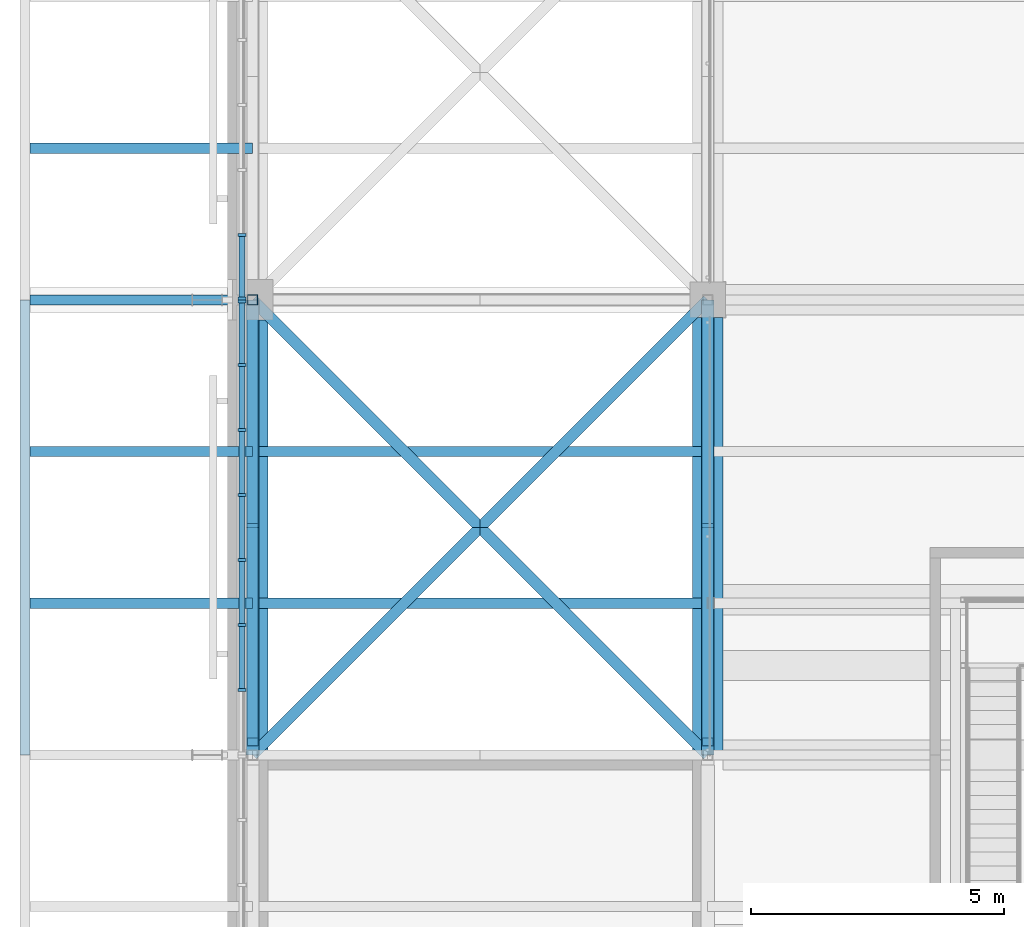
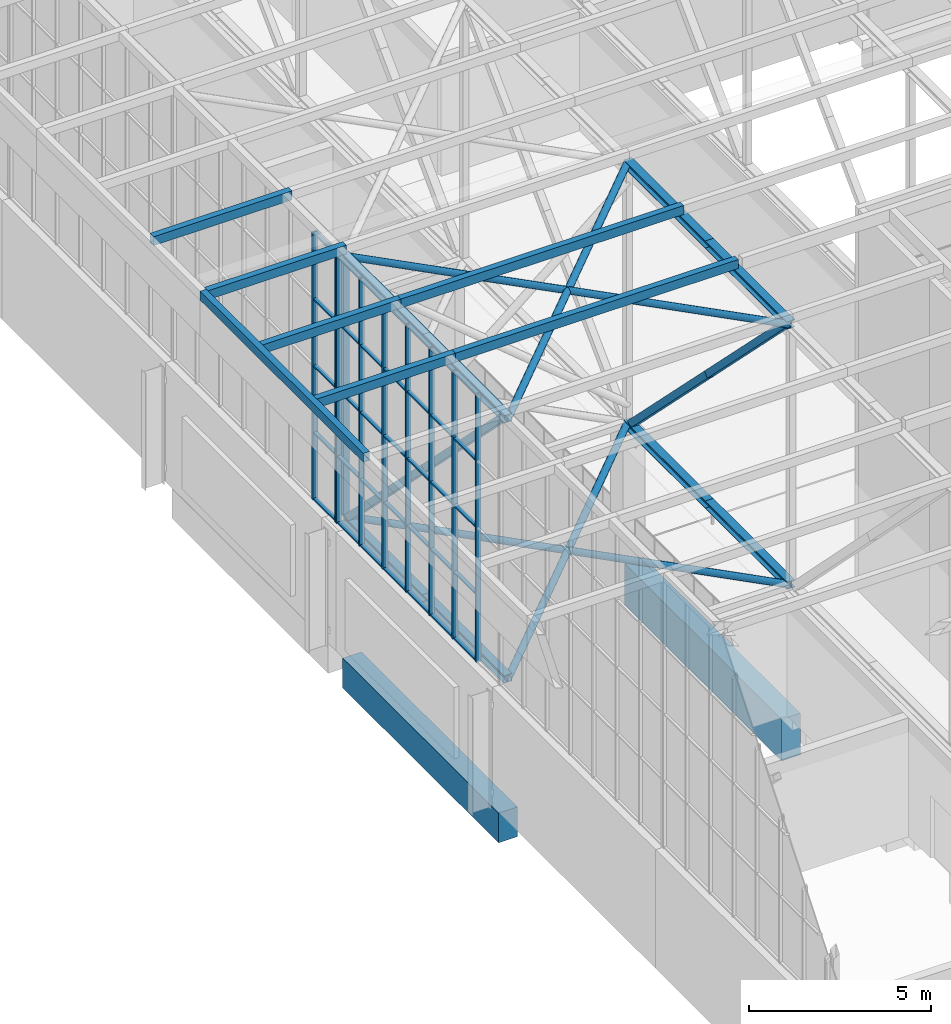
# One storey, part 50 of 646: 73 members, 2 beams, 2 elements without a shape of their own.
"""IFC4 building model written with IfcOpenShell, lengths in metres."""

from ifc_helpers import new_model, si_unit, direction, frame, origin, origin_2d, place, context, subcontext, project, spatial, rectangle, hollow_rectangle, hollow_circle, i_section, extrude, material, material_profile, profile_set, type_object, element, aggregate, save


model = new_model("IFC4")

# Units and contexts
model_context = context("Model", 3, precision=1e-05, world=origin(), true_north=direction((0.0, 1.0)))
body_context = subcontext(model_context, "Body", "Model", "MODEL_VIEW")
ifc_project = project(units=[si_unit("LENGTHUNIT", "METRE"), si_unit("AREAUNIT", "SQUARE_METRE"), si_unit("VOLUMEUNIT", "CUBIC_METRE"), si_unit("PLANEANGLEUNIT", "RADIAN"), si_unit("MASSUNIT", "GRAM", prefix="KILO")], contexts=[model_context])

# Site, building, storey
site_placement = place(None, origin())
site = spatial("IfcSite", under=ifc_project, at=site_placement, CompositionType="ELEMENT")
building_placement = place(site_placement, origin())
building = spatial("IfcBuilding", under=site, at=building_placement, Name="Silverbay Arena", CompositionType="ELEMENT")
storey_placement = place(building_placement, frame((0.0, 0.0, 33.5)))
storey = spatial("IfcBuildingStorey", under=building, at=storey_placement, Name="L05", CompositionType="ELEMENT", Elevation=33.5)

# Curtain wall, members
ifc_material_1 = material(Name="Aluminium framed glazing", Category="aluminium")
curtain_wall_type = type_object("IfcCurtainWallType", Name="Curtain wall clerestory 9000 x 9000", PredefinedType="NOTDEFINED", material=ifc_material_1)
curtain_wall_1_placement = place(storey_placement, origin())
curtain_wall_1 = element("IfcCurtainWall", 1, at=curtain_wall_1_placement, inside=storey, type_object=curtain_wall_type, Name="ROOF GABLE CLERESTORY CURTAIN WALL west bay 08", PredefinedType="NOTDEFINED")
ifc_material_2 = material(Name="Aluminium", Category="aluminium")
ifc_material_profile_1 = material_profile(ifc_material_2, rectangle(XDim=0.159912109375, YDim=0.06005859375, at=origin_2d()), Name="Mullion 60 x 160")
ifc_profile_set_1 = profile_set([ifc_material_profile_1], Name="Aluminium")
member_type_1 = type_object("IfcMemberType", Name="Mullion 60 x 160", PredefinedType="MULLION", material=ifc_profile_set_1)
member_1_placement = place(storey_placement, frame((53.7900390625, 73.28564453125, 4.0), z_axis=(0.0, 0.0, 1.0), x_axis=(-1.0, 0.0, 0.0)))
member_1 = element("IfcMember", 2, at=member_1_placement, type_object=member_type_1, Name="CW60 mullion 2", PredefinedType="MULLION", context=body_context, shape_type="SweptSolid", body=[
    extrude(rectangle(XDim=0.159912109375, YDim=0.06005859375, at=origin_2d()), origin(), (0.0, 0.0, 1.0), 9.0),
])
member_2_placement = place(storey_placement, frame((53.7900390625, 74.571533203125, 4.0), z_axis=(0.0, 0.0, 1.0), x_axis=(-1.0, 0.0, 0.0)))
member_2 = element("IfcMember", 3, at=member_2_placement, type_object=member_type_1, Name="CW60 mullion 3", PredefinedType="MULLION", context=body_context, shape_type="SweptSolid", body=[
    extrude(rectangle(XDim=0.159912109375, YDim=0.06005859375, at=origin_2d()), origin(), (0.0, 0.0, 1.0), 9.0),
])
member_3_placement = place(storey_placement, frame((53.7900390625, 75.857177734375, 4.0), z_axis=(0.0, 0.0, 1.0), x_axis=(-1.0, 0.0, 0.0)))
member_3 = element("IfcMember", 4, at=member_3_placement, type_object=member_type_1, Name="CW60 mullion 4", PredefinedType="MULLION", context=body_context, shape_type="SweptSolid", body=[
    extrude(rectangle(XDim=0.159912109375, YDim=0.06005859375, at=origin_2d()), origin(), (0.0, 0.0, 1.0), 9.0),
])
member_4_placement = place(storey_placement, frame((53.7900390625, 77.142822265625, 4.0), z_axis=(0.0, 0.0, 1.0), x_axis=(-1.0, 0.0, 0.0)))
member_4 = element("IfcMember", 5, at=member_4_placement, type_object=member_type_1, Name="CW60 mullion 5", PredefinedType="MULLION", context=body_context, shape_type="SweptSolid", body=[
    extrude(rectangle(XDim=0.159912109375, YDim=0.06005859375, at=origin_2d()), origin(), (0.0, 0.0, 1.0), 9.0),
])
member_5_placement = place(storey_placement, frame((53.7900390625, 78.428466796875, 4.0), z_axis=(0.0, 0.0, 1.0), x_axis=(-1.0, 0.0, 0.0)))
member_5 = element("IfcMember", 6, at=member_5_placement, type_object=member_type_1, Name="CW60 mullion 6", PredefinedType="MULLION", context=body_context, shape_type="SweptSolid", body=[
    extrude(rectangle(XDim=0.159912109375, YDim=0.06005859375, at=origin_2d()), origin(), (0.0, 0.0, 1.0), 9.0),
])
member_6_placement = place(storey_placement, frame((53.7900390625, 79.71435546875, 4.0), z_axis=(0.0, 0.0, 1.0), x_axis=(-1.0, 0.0, 0.0)))
member_6 = element("IfcMember", 7, at=member_6_placement, type_object=member_type_1, Name="CW60 mullion 7", PredefinedType="MULLION", context=body_context, shape_type="SweptSolid", body=[
    extrude(rectangle(XDim=0.159912109375, YDim=0.06005859375, at=origin_2d()), origin(), (0.0, 0.0, 1.0), 9.0),
])
member_7_placement = place(storey_placement, frame((53.7900390625, 80.969970703125, 4.0), z_axis=(0.0, 0.0, 1.0), x_axis=(-1.0, 0.0, 0.0)))
member_7 = element("IfcMember", 8, at=member_7_placement, type_object=member_type_1, Name="CW60 mullion 8", PredefinedType="MULLION", context=body_context, shape_type="SweptSolid", body=[
    extrude(rectangle(XDim=0.159912109375, YDim=0.06005859375, at=origin_2d()), origin(), (0.0, 0.0, 1.0), 9.0),
])

curtain_wall_2_placement = place(storey_placement, origin())
curtain_wall_2 = element("IfcCurtainWall", 9, at=curtain_wall_2_placement, inside=storey, type_object=curtain_wall_type, Name="ROOF GABLE CLERESTORY CURTAIN WALL west bay 09", PredefinedType="NOTDEFINED")
member_8_placement = place(storey_placement, frame((53.7900390625, 81.030029296875, 4.0), z_axis=(0.0, 0.0, 1.0), x_axis=(-1.0, 0.0, 0.0)))
member_8 = element("IfcMember", 10, at=member_8_placement, type_object=member_type_1, Name="CW60 mullion 1", PredefinedType="MULLION", context=body_context, shape_type="SweptSolid", body=[
    extrude(rectangle(XDim=0.159912109375, YDim=0.06005859375, at=origin_2d()), origin(), (0.0, 0.0, 1.0), 9.0),
])
member_9_placement = place(storey_placement, frame((53.7900390625, 82.28564453125, 4.0), z_axis=(0.0, 0.0, 1.0), x_axis=(-1.0, 0.0, 0.0)))
member_9 = element("IfcMember", 11, at=member_9_placement, type_object=member_type_1, Name="CW60 mullion 2", PredefinedType="MULLION", context=body_context, shape_type="SweptSolid", body=[
    extrude(rectangle(XDim=0.159912109375, YDim=0.06005859375, at=origin_2d()), origin(), (0.0, 0.0, 1.0), 9.0),
])

# Members
ifc_material_3 = material(Name="Steel S355", Category="steel")
ifc_material_profile_2 = material_profile(ifc_material_3, hollow_circle(Radius=0.109619140625, WallThickness=0.00634765625, at=origin_2d()), Name="CHS 219.1x6.3")
ifc_profile_set_2 = profile_set([ifc_material_profile_2], Name="Steel S355")
member_type_2 = type_object("IfcMemberType", Name="Plan bracing CHS 219.1x6.3", PredefinedType="BRACE", material=ifc_profile_set_2)
for number, where, z_axis, x_axis, name in (
    (12, (54.0, 72.0, 12.873046875), (0.707106781187, 0.707106781187, 0.0), (-0.707106781187, 0.707106781187, 0.0), "ROOF BRACING top 7-8 panel 08 Aa"),
    (13, (58.5, 76.5, 12.873046875), (0.707106781187, 0.707106781187, 0.0), (-0.707106781187, 0.707106781187, 0.0), "ROOF BRACING top 7-8 panel 08 Ab"),
    (14, (54.0, 81.0, 12.873046875), (0.707106781187, -0.707106781187, 0.0), (0.707106781187, 0.707106781187, 0.0), "ROOF BRACING top 7-8 panel 08 Ba"),
    (15, (58.5, 76.5, 12.873046875), (0.707106781187, -0.707106781187, 0.0), (0.707106781187, 0.707106781187, 0.0), "ROOF BRACING top 7-8 panel 08 Bb"),
    (16, (54.0, 72.0, 4.126953125), (0.707106781187, 0.707106781187, 0.0), (-0.707106781187, 0.707106781187, 0.0), "ROOF BRACING bottom 7-8 panel 08 Aa"),
    (17, (58.5, 76.5, 4.126953125), (0.707106781187, 0.707106781187, 0.0), (-0.707106781187, 0.707106781187, 0.0), "ROOF BRACING bottom 7-8 panel 08 Ab"),
    (18, (54.0, 81.0, 4.126953125), (0.707106781187, -0.707106781187, 0.0), (0.707106781187, 0.707106781187, 0.0), "ROOF BRACING bottom 7-8 panel 08 Ba"),
    (19, (58.5, 76.5, 4.126953125), (0.707106781187, -0.707106781187, 0.0), (0.707106781187, 0.707106781187, 0.0), "ROOF BRACING bottom 7-8 panel 08 Bb"),
):
    element("IfcMember", number, at=place(storey_placement, frame(where, z_axis=z_axis, x_axis=x_axis)), inside=storey, type_object=member_type_2, Name=name, PredefinedType="BRACE", context=body_context, shape_type="SweptSolid", body=[
        extrude(hollow_circle(Radius=0.109619140625, WallThickness=0.00634765625, at=origin_2d()), origin(), (0.0, 0.0, 1.0), 6.364013671875),
    ])
ifc_material_4 = material(Name="Steel S355", Category="steel")
ifc_material_profile_3 = material_profile(ifc_material_4, hollow_rectangle(XDim=0.199951171875, YDim=0.300048828125, WallThickness=0.008056640625, at=origin_2d()), Name="RHS 300x200x8")
ifc_profile_set_3 = profile_set([ifc_material_profile_3], Name="Steel S355")
member_type_3 = type_object("IfcMemberType", Name="Purlin RHS 300x200x8", PredefinedType="PURLIN", material=ifc_profile_set_3)
for number, where, z_axis, x_axis, name in (
    (20, (54.0, 75.0, 13.14990234375), (1.0, 0.0, 0.0), (0.0, 1.0, 0.0), "ROOF PURLIN 7-8 line 23"),
    (21, (54.0, 78.0, 13.14990234375), (1.0, 0.0, 0.0), (0.0, 1.0, 0.0), "ROOF PURLIN 7-8 line 24"),
):
    element("IfcMember", number, at=place(storey_placement, frame(where, z_axis=z_axis, x_axis=x_axis)), inside=storey, type_object=member_type_3, Name=name, PredefinedType="PURLIN", context=body_context, shape_type="SweptSolid", body=[
        extrude(hollow_rectangle(XDim=0.199951171875, YDim=0.300048828125, WallThickness=0.008056640625, at=origin_2d()), origin(), (0.0, 0.0, 1.0), 9.0),
    ])
for number, where, z_axis, x_axis, name in (
    (22, (49.60009765625, 75.0, 13.14990234375), (1.0, 0.0, 0.0), (0.0, 1.0, 0.0), "ROOF PURLIN west eave line 23"),
    (23, (49.60009765625, 78.0, 13.14990234375), (1.0, 0.0, 0.0), (0.0, 1.0, 0.0), "ROOF PURLIN west eave line 24"),
    (24, (49.60009765625, 81.0, 13.14990234375), (1.0, 0.0, 0.0), (0.0, 1.0, 0.0), "ROOF PURLIN west eave line 25"),
    (25, (49.60009765625, 84.0, 13.14990234375), (1.0, 0.0, 0.0), (0.0, 1.0, 0.0), "ROOF PURLIN west eave line 26"),
):
    element("IfcMember", number, at=place(storey_placement, frame(where, z_axis=z_axis, x_axis=x_axis)), inside=storey, type_object=member_type_3, Name=name, PredefinedType="PURLIN", context=body_context, shape_type="SweptSolid", body=[
        extrude(hollow_rectangle(XDim=0.199951171875, YDim=0.300048828125, WallThickness=0.008056640625, at=origin_2d()), origin(), (0.0, 0.0, 1.0), 4.39990234375),
    ])
member_10_placement = place(storey_placement, frame((49.5, 72.0, 13.14990234375), z_axis=(0.0, 1.0, 0.0), x_axis=(-1.0, 0.0, 0.0)))
element("IfcMember", 26, at=member_10_placement, inside=storey, type_object=member_type_3, Name="ROOF PURLIN west eave edge 08", PredefinedType="PURLIN", context=body_context, shape_type="SweptSolid", body=[
    extrude(hollow_rectangle(XDim=0.199951171875, YDim=0.300048828125, WallThickness=0.008056640625, at=origin_2d()), origin(), (0.0, 0.0, 1.0), 9.0),
])

# Beams
ifc_material_5 = material(Name="Concrete Grade C45", Category="concrete")
ifc_material_profile_4 = material_profile(ifc_material_5, rectangle(XDim=0.60009765625, YDim=1.0, at=origin_2d()), Name="RC 600x1000")
ifc_profile_set_4 = profile_set([ifc_material_profile_4], Name="Concrete Grade C45")
beam_type_1 = type_object("IfcBeamType", Name="RC beam 600x1000", PredefinedType="BEAM", material=ifc_profile_set_4)
beam_1_placement = place(storey_placement, frame((54.0, 72.0, -0.800048828125), z_axis=(0.0, 1.0, 0.0), x_axis=(-1.0, 0.0, 0.0)))
element("IfcBeam", 27, at=beam_1_placement, inside=storey, type_object=beam_type_1, Name="Floor beam L05 074", PredefinedType="BEAM", context=body_context, shape_type="SweptSolid", body=[
    extrude(rectangle(XDim=0.60009765625, YDim=1.0, at=origin_2d()), origin(), (0.0, 0.0, 1.0), 8.60009765625),
])
ifc_material_6 = material(Name="Concrete Grade C45", Category="concrete")
ifc_material_profile_5 = material_profile(ifc_material_6, rectangle(XDim=0.60009765625, YDim=1.39990234375, at=origin_2d()), Name="RC 600x1400")
ifc_profile_set_5 = profile_set([ifc_material_profile_5], Name="Concrete Grade C45")
beam_type_2 = type_object("IfcBeamType", Name="RC beam 600x1400", PredefinedType="BEAM", material=ifc_profile_set_5)
beam_2_placement = place(storey_placement, frame((63.0, 72.0, -1.0), z_axis=(0.0, 1.0, 0.0), x_axis=(-1.0, 0.0, 0.0)))
element("IfcBeam", 28, at=beam_2_placement, inside=storey, type_object=beam_type_2, Name="Floor beam L05 082", PredefinedType="BEAM", context=body_context, shape_type="SweptSolid", body=[
    extrude(rectangle(XDim=0.60009765625, YDim=1.39990234375, at=origin_2d()), origin(), (0.0, 0.0, 1.0), 8.64990234375),
])

# Members
ifc_material_7 = material(Name="Steel S355", Category="steel")
ifc_material_profile_6 = material_profile(ifc_material_7, i_section(OverallWidth=0.254638671875, OverallDepth=0.254150390625, WebThickness=0.008544921875, FlangeThickness=0.01416015625, at=origin_2d()), Name="UC 254x254x73")
ifc_profile_set_6 = profile_set([ifc_material_profile_6], Name="Steel S355")
member_type_4 = type_object("IfcMemberType", Name="Short-span bottom chord UC 254x254x73", PredefinedType="CHORD", material=ifc_profile_set_6)
for number, where, z_axis, x_axis, name in (
    (29, (54.0, 72.0, 4.126953125), (0.0, 1.0, 0.0), (-1.0, 0.0, 0.0), "ROOF TRUSS 7 bottom chord 08a"),
    (30, (54.0, 76.5, 4.126953125), (0.0, 1.0, 0.0), (-1.0, 0.0, 0.0), "ROOF TRUSS 7 bottom chord 08b"),
    (31, (63.0, 72.0, 4.126953125), (0.0, 1.0, 0.0), (-1.0, 0.0, 0.0), "ROOF TRUSS 8 bottom chord 08a"),
    (32, (63.0, 76.5, 4.126953125), (0.0, 1.0, 0.0), (-1.0, 0.0, 0.0), "ROOF TRUSS 8 bottom chord 08b"),
):
    element("IfcMember", number, at=place(storey_placement, frame(where, z_axis=z_axis, x_axis=x_axis)), inside=storey, type_object=member_type_4, Name=name, PredefinedType="CHORD", context=body_context, shape_type="SweptSolid", body=[
        extrude(i_section(OverallWidth=0.254638671875, OverallDepth=0.254150390625, WebThickness=0.008544921875, FlangeThickness=0.01416015625, at=origin_2d()), origin(), (0.0, 0.0, 1.0), 4.5),
    ])
ifc_material_8 = material(Name="Steel S355", Category="steel")
ifc_material_profile_7 = material_profile(ifc_material_8, i_section(OverallWidth=0.254638671875, OverallDepth=0.254150390625, WebThickness=0.008544921875, FlangeThickness=0.01416015625, at=origin_2d()), Name="UC 254x254x73")
ifc_profile_set_7 = profile_set([ifc_material_profile_7], Name="Steel S355")
member_type_5 = type_object("IfcMemberType", Name="Short-span top chord UC 254x254x73", PredefinedType="CHORD", material=ifc_profile_set_7)
for number, where, z_axis, x_axis, name in (
    (33, (54.0, 72.0, 12.873046875), (0.0, 1.0, 0.0), (-1.0, 0.0, 0.0), "ROOF TRUSS 7 top chord 08a"),
    (34, (54.0, 76.5, 12.873046875), (0.0, 1.0, 0.0), (-1.0, 0.0, 0.0), "ROOF TRUSS 7 top chord 08b"),
    (35, (63.0, 72.0, 12.873046875), (0.0, 1.0, 0.0), (-1.0, 0.0, 0.0), "ROOF TRUSS 8 top chord 08a"),
    (36, (63.0, 76.5, 12.873046875), (0.0, 1.0, 0.0), (-1.0, 0.0, 0.0), "ROOF TRUSS 8 top chord 08b"),
):
    element("IfcMember", number, at=place(storey_placement, frame(where, z_axis=z_axis, x_axis=x_axis)), inside=storey, type_object=member_type_5, Name=name, PredefinedType="CHORD", context=body_context, shape_type="SweptSolid", body=[
        extrude(i_section(OverallWidth=0.254638671875, OverallDepth=0.254150390625, WebThickness=0.008544921875, FlangeThickness=0.01416015625, at=origin_2d()), origin(), (0.0, 0.0, 1.0), 4.5),
    ])
ifc_material_9 = material(Name="Steel S355", Category="steel")
ifc_material_profile_8 = material_profile(ifc_material_9, hollow_rectangle(XDim=0.219970703125, YDim=0.219970703125, WallThickness=0.008056640625, at=origin_2d()), Name="SHS 220x220x8")
ifc_profile_set_8 = profile_set([ifc_material_profile_8], Name="Steel S355")
member_type_6 = type_object("IfcMemberType", Name="Short-span truss diagonal SHS 220x220x8", PredefinedType="BRACE", material=ifc_profile_set_8)
for number, where, z_axis, x_axis, name in (
    (37, (54.0, 72.26025390625, 12.745849609375), (0.0, 0.706597990941, -0.707615205601), (-1.0, 0.0, 0.0), "ROOF TRUSS 7 diagonal 08a"),
    (38, (54.0, 76.5, 8.5), (0.0, 0.706597990941, -0.707615205601), (-1.0, 0.0, 0.0), "ROOF TRUSS 7 diagonal 08b"),
    (39, (63.0, 72.26025390625, 12.745849609375), (0.0, 0.706597990941, -0.707615205601), (-1.0, 0.0, 0.0), "ROOF TRUSS 8 diagonal 08a"),
    (40, (63.0, 76.5, 8.5), (0.0, 0.706597990941, -0.707615205601), (-1.0, 0.0, 0.0), "ROOF TRUSS 8 diagonal 08b"),
):
    element("IfcMember", number, at=place(storey_placement, frame(where, z_axis=z_axis, x_axis=x_axis)), inside=storey, type_object=member_type_6, Name=name, PredefinedType="BRACE", context=body_context, shape_type="SweptSolid", body=[
        extrude(hollow_rectangle(XDim=0.219970703125, YDim=0.219970703125, WallThickness=0.008056640625, at=origin_2d()), origin(), (0.0, 0.0, 1.0), 6.000244140625),
    ])
ifc_material_10 = material(Name="Steel S355", Category="steel")
ifc_material_profile_9 = material_profile(ifc_material_10, hollow_rectangle(XDim=0.199951171875, YDim=0.199951171875, WallThickness=0.008056640625, at=origin_2d()), Name="SHS 200x200x8")
ifc_profile_set_9 = profile_set([ifc_material_profile_9], Name="Steel S355")
member_type_7 = type_object("IfcMemberType", Name="Short-span truss vertical SHS 200x200x8", PredefinedType="STRUT", material=ifc_profile_set_9)
for number, where, z_axis, x_axis, name in (
    (41, (54.0, 81.0, 4.254150390625), (0.0, 0.0, 1.0), (1.0, 0.0, 0.0), "ROOF TRUSS 7 vertical 09a"),
    (42, (54.0, 81.0, 8.5), (0.0, 0.0, 1.0), (1.0, 0.0, 0.0), "ROOF TRUSS 7 vertical 09b"),
):
    element("IfcMember", number, at=place(storey_placement, frame(where, z_axis=z_axis, x_axis=x_axis)), inside=storey, type_object=member_type_7, Name=name, PredefinedType="STRUT", context=body_context, shape_type="SweptSolid", body=[
        extrude(hollow_rectangle(XDim=0.199951171875, YDim=0.199951171875, WallThickness=0.008056640625, at=origin_2d()), origin(), (0.0, 0.0, 1.0), 4.245849609375),
    ])

# Member
ifc_material_11 = material(Name="Aluminium", Category="aluminium")
ifc_material_profile_10 = material_profile(ifc_material_11, rectangle(XDim=0.1201171875, YDim=0.050048828125, at=origin_2d()), Name="Transom 50 x 120")
ifc_profile_set_10 = profile_set([ifc_material_profile_10], Name="Aluminium")
member_type_8 = type_object("IfcMemberType", Name="Transom 50 x 120", PredefinedType="USERDEFINED", material=ifc_profile_set_10)
member_11_placement = place(storey_placement, frame((53.7900390625, 73.315673828125, 4.02490234375), z_axis=(0.0, 1.0, 0.0), x_axis=(-1.0, 0.0, 0.0)))
member_11 = element("IfcMember", 43, at=member_11_placement, type_object=member_type_8, Name="CW60 transom 2.1", ObjectType="TRANSOM", PredefinedType="USERDEFINED", context=body_context, shape_type="SweptSolid", body=[
    extrude(rectangle(XDim=0.1201171875, YDim=0.050048828125, at=origin_2d()), origin(), (0.0, 0.0, 1.0), 1.225830078125),
])

member_12_placement = place(storey_placement, frame((53.7900390625, 73.315673828125, 6.25), z_axis=(0.0, 1.0, 0.0), x_axis=(-1.0, 0.0, 0.0)))
member_12 = element("IfcMember", 44, at=member_12_placement, type_object=member_type_8, Name="CW60 transom 2.2", ObjectType="TRANSOM", PredefinedType="USERDEFINED", context=body_context, shape_type="SweptSolid", body=[
    extrude(rectangle(XDim=0.1201171875, YDim=0.050048828125, at=origin_2d()), origin(), (0.0, 0.0, 1.0), 1.225830078125),
])

member_13_placement = place(storey_placement, frame((53.7900390625, 73.315673828125, 8.5), z_axis=(0.0, 1.0, 0.0), x_axis=(-1.0, 0.0, 0.0)))
member_13 = element("IfcMember", 45, at=member_13_placement, type_object=member_type_8, Name="CW60 transom 2.3", ObjectType="TRANSOM", PredefinedType="USERDEFINED", context=body_context, shape_type="SweptSolid", body=[
    extrude(rectangle(XDim=0.1201171875, YDim=0.050048828125, at=origin_2d()), origin(), (0.0, 0.0, 1.0), 1.225830078125),
])

member_14_placement = place(storey_placement, frame((53.7900390625, 73.315673828125, 10.75), z_axis=(0.0, 1.0, 0.0), x_axis=(-1.0, 0.0, 0.0)))
member_14 = element("IfcMember", 46, at=member_14_placement, type_object=member_type_8, Name="CW60 transom 2.4", ObjectType="TRANSOM", PredefinedType="USERDEFINED", context=body_context, shape_type="SweptSolid", body=[
    extrude(rectangle(XDim=0.1201171875, YDim=0.050048828125, at=origin_2d()), origin(), (0.0, 0.0, 1.0), 1.225830078125),
])

member_15_placement = place(storey_placement, frame((53.7900390625, 73.315673828125, 12.97509765625), z_axis=(0.0, 1.0, 0.0), x_axis=(-1.0, 0.0, 0.0)))
member_15 = element("IfcMember", 47, at=member_15_placement, type_object=member_type_8, Name="CW60 transom 2.5", ObjectType="TRANSOM", PredefinedType="USERDEFINED", context=body_context, shape_type="SweptSolid", body=[
    extrude(rectangle(XDim=0.1201171875, YDim=0.050048828125, at=origin_2d()), origin(), (0.0, 0.0, 1.0), 1.225830078125),
])

member_16_placement = place(storey_placement, frame((53.7900390625, 74.601318359375, 4.02490234375), z_axis=(0.0, 1.0, 0.0), x_axis=(-1.0, 0.0, 0.0)))
member_16 = element("IfcMember", 48, at=member_16_placement, type_object=member_type_8, Name="CW60 transom 3.1", ObjectType="TRANSOM", PredefinedType="USERDEFINED", context=body_context, shape_type="SweptSolid", body=[
    extrude(rectangle(XDim=0.1201171875, YDim=0.050048828125, at=origin_2d()), origin(), (0.0, 0.0, 1.0), 1.225830078125),
])

member_17_placement = place(storey_placement, frame((53.7900390625, 74.601318359375, 6.25), z_axis=(0.0, 1.0, 0.0), x_axis=(-1.0, 0.0, 0.0)))
member_17 = element("IfcMember", 49, at=member_17_placement, type_object=member_type_8, Name="CW60 transom 3.2", ObjectType="TRANSOM", PredefinedType="USERDEFINED", context=body_context, shape_type="SweptSolid", body=[
    extrude(rectangle(XDim=0.1201171875, YDim=0.050048828125, at=origin_2d()), origin(), (0.0, 0.0, 1.0), 1.225830078125),
])

member_18_placement = place(storey_placement, frame((53.7900390625, 74.601318359375, 8.5), z_axis=(0.0, 1.0, 0.0), x_axis=(-1.0, 0.0, 0.0)))
member_18 = element("IfcMember", 50, at=member_18_placement, type_object=member_type_8, Name="CW60 transom 3.3", ObjectType="TRANSOM", PredefinedType="USERDEFINED", context=body_context, shape_type="SweptSolid", body=[
    extrude(rectangle(XDim=0.1201171875, YDim=0.050048828125, at=origin_2d()), origin(), (0.0, 0.0, 1.0), 1.225830078125),
])

member_19_placement = place(storey_placement, frame((53.7900390625, 74.601318359375, 10.75), z_axis=(0.0, 1.0, 0.0), x_axis=(-1.0, 0.0, 0.0)))
member_19 = element("IfcMember", 51, at=member_19_placement, type_object=member_type_8, Name="CW60 transom 3.4", ObjectType="TRANSOM", PredefinedType="USERDEFINED", context=body_context, shape_type="SweptSolid", body=[
    extrude(rectangle(XDim=0.1201171875, YDim=0.050048828125, at=origin_2d()), origin(), (0.0, 0.0, 1.0), 1.225830078125),
])

member_20_placement = place(storey_placement, frame((53.7900390625, 74.601318359375, 12.97509765625), z_axis=(0.0, 1.0, 0.0), x_axis=(-1.0, 0.0, 0.0)))
member_20 = element("IfcMember", 52, at=member_20_placement, type_object=member_type_8, Name="CW60 transom 3.5", ObjectType="TRANSOM", PredefinedType="USERDEFINED", context=body_context, shape_type="SweptSolid", body=[
    extrude(rectangle(XDim=0.1201171875, YDim=0.050048828125, at=origin_2d()), origin(), (0.0, 0.0, 1.0), 1.225830078125),
])

member_21_placement = place(storey_placement, frame((53.7900390625, 75.88720703125, 4.02490234375), z_axis=(0.0, 1.0, 0.0), x_axis=(-1.0, 0.0, 0.0)))
member_21 = element("IfcMember", 53, at=member_21_placement, type_object=member_type_8, Name="CW60 transom 4.1", ObjectType="TRANSOM", PredefinedType="USERDEFINED", context=body_context, shape_type="SweptSolid", body=[
    extrude(rectangle(XDim=0.1201171875, YDim=0.050048828125, at=origin_2d()), origin(), (0.0, 0.0, 1.0), 1.2255859375),
])

member_22_placement = place(storey_placement, frame((53.7900390625, 75.88720703125, 6.25), z_axis=(0.0, 1.0, 0.0), x_axis=(-1.0, 0.0, 0.0)))
member_22 = element("IfcMember", 54, at=member_22_placement, type_object=member_type_8, Name="CW60 transom 4.2", ObjectType="TRANSOM", PredefinedType="USERDEFINED", context=body_context, shape_type="SweptSolid", body=[
    extrude(rectangle(XDim=0.1201171875, YDim=0.050048828125, at=origin_2d()), origin(), (0.0, 0.0, 1.0), 1.2255859375),
])

member_23_placement = place(storey_placement, frame((53.7900390625, 75.88720703125, 8.5), z_axis=(0.0, 1.0, 0.0), x_axis=(-1.0, 0.0, 0.0)))
member_23 = element("IfcMember", 55, at=member_23_placement, type_object=member_type_8, Name="CW60 transom 4.3", ObjectType="TRANSOM", PredefinedType="USERDEFINED", context=body_context, shape_type="SweptSolid", body=[
    extrude(rectangle(XDim=0.1201171875, YDim=0.050048828125, at=origin_2d()), origin(), (0.0, 0.0, 1.0), 1.2255859375),
])

member_24_placement = place(storey_placement, frame((53.7900390625, 75.88720703125, 10.75), z_axis=(0.0, 1.0, 0.0), x_axis=(-1.0, 0.0, 0.0)))
member_24 = element("IfcMember", 56, at=member_24_placement, type_object=member_type_8, Name="CW60 transom 4.4", ObjectType="TRANSOM", PredefinedType="USERDEFINED", context=body_context, shape_type="SweptSolid", body=[
    extrude(rectangle(XDim=0.1201171875, YDim=0.050048828125, at=origin_2d()), origin(), (0.0, 0.0, 1.0), 1.2255859375),
])

member_25_placement = place(storey_placement, frame((53.7900390625, 75.88720703125, 12.97509765625), z_axis=(0.0, 1.0, 0.0), x_axis=(-1.0, 0.0, 0.0)))
member_25 = element("IfcMember", 57, at=member_25_placement, type_object=member_type_8, Name="CW60 transom 4.5", ObjectType="TRANSOM", PredefinedType="USERDEFINED", context=body_context, shape_type="SweptSolid", body=[
    extrude(rectangle(XDim=0.1201171875, YDim=0.050048828125, at=origin_2d()), origin(), (0.0, 0.0, 1.0), 1.2255859375),
])

member_26_placement = place(storey_placement, frame((53.7900390625, 77.1728515625, 4.02490234375), z_axis=(0.0, 1.0, 0.0), x_axis=(-1.0, 0.0, 0.0)))
member_26 = element("IfcMember", 58, at=member_26_placement, type_object=member_type_8, Name="CW60 transom 5.1", ObjectType="TRANSOM", PredefinedType="USERDEFINED", context=body_context, shape_type="SweptSolid", body=[
    extrude(rectangle(XDim=0.1201171875, YDim=0.050048828125, at=origin_2d()), origin(), (0.0, 0.0, 1.0), 1.225830078125),
])

member_27_placement = place(storey_placement, frame((53.7900390625, 77.1728515625, 6.25), z_axis=(0.0, 1.0, 0.0), x_axis=(-1.0, 0.0, 0.0)))
member_27 = element("IfcMember", 59, at=member_27_placement, type_object=member_type_8, Name="CW60 transom 5.2", ObjectType="TRANSOM", PredefinedType="USERDEFINED", context=body_context, shape_type="SweptSolid", body=[
    extrude(rectangle(XDim=0.1201171875, YDim=0.050048828125, at=origin_2d()), origin(), (0.0, 0.0, 1.0), 1.225830078125),
])

member_28_placement = place(storey_placement, frame((53.7900390625, 77.1728515625, 8.5), z_axis=(0.0, 1.0, 0.0), x_axis=(-1.0, 0.0, 0.0)))
member_28 = element("IfcMember", 60, at=member_28_placement, type_object=member_type_8, Name="CW60 transom 5.3", ObjectType="TRANSOM", PredefinedType="USERDEFINED", context=body_context, shape_type="SweptSolid", body=[
    extrude(rectangle(XDim=0.1201171875, YDim=0.050048828125, at=origin_2d()), origin(), (0.0, 0.0, 1.0), 1.225830078125),
])

member_29_placement = place(storey_placement, frame((53.7900390625, 77.1728515625, 10.75), z_axis=(0.0, 1.0, 0.0), x_axis=(-1.0, 0.0, 0.0)))
member_29 = element("IfcMember", 61, at=member_29_placement, type_object=member_type_8, Name="CW60 transom 5.4", ObjectType="TRANSOM", PredefinedType="USERDEFINED", context=body_context, shape_type="SweptSolid", body=[
    extrude(rectangle(XDim=0.1201171875, YDim=0.050048828125, at=origin_2d()), origin(), (0.0, 0.0, 1.0), 1.225830078125),
])

member_30_placement = place(storey_placement, frame((53.7900390625, 77.1728515625, 12.97509765625), z_axis=(0.0, 1.0, 0.0), x_axis=(-1.0, 0.0, 0.0)))
member_30 = element("IfcMember", 62, at=member_30_placement, type_object=member_type_8, Name="CW60 transom 5.5", ObjectType="TRANSOM", PredefinedType="USERDEFINED", context=body_context, shape_type="SweptSolid", body=[
    extrude(rectangle(XDim=0.1201171875, YDim=0.050048828125, at=origin_2d()), origin(), (0.0, 0.0, 1.0), 1.225830078125),
])

member_31_placement = place(storey_placement, frame((53.7900390625, 78.45849609375, 4.02490234375), z_axis=(0.0, 1.0, 0.0), x_axis=(-1.0, 0.0, 0.0)))
member_31 = element("IfcMember", 63, at=member_31_placement, type_object=member_type_8, Name="CW60 transom 6.1", ObjectType="TRANSOM", PredefinedType="USERDEFINED", context=body_context, shape_type="SweptSolid", body=[
    extrude(rectangle(XDim=0.1201171875, YDim=0.050048828125, at=origin_2d()), origin(), (0.0, 0.0, 1.0), 1.225830078125),
])

member_32_placement = place(storey_placement, frame((53.7900390625, 78.45849609375, 6.25), z_axis=(0.0, 1.0, 0.0), x_axis=(-1.0, 0.0, 0.0)))
member_32 = element("IfcMember", 64, at=member_32_placement, type_object=member_type_8, Name="CW60 transom 6.2", ObjectType="TRANSOM", PredefinedType="USERDEFINED", context=body_context, shape_type="SweptSolid", body=[
    extrude(rectangle(XDim=0.1201171875, YDim=0.050048828125, at=origin_2d()), origin(), (0.0, 0.0, 1.0), 1.225830078125),
])

member_33_placement = place(storey_placement, frame((53.7900390625, 78.45849609375, 8.5), z_axis=(0.0, 1.0, 0.0), x_axis=(-1.0, 0.0, 0.0)))
member_33 = element("IfcMember", 65, at=member_33_placement, type_object=member_type_8, Name="CW60 transom 6.3", ObjectType="TRANSOM", PredefinedType="USERDEFINED", context=body_context, shape_type="SweptSolid", body=[
    extrude(rectangle(XDim=0.1201171875, YDim=0.050048828125, at=origin_2d()), origin(), (0.0, 0.0, 1.0), 1.225830078125),
])

member_34_placement = place(storey_placement, frame((53.7900390625, 78.45849609375, 10.75), z_axis=(0.0, 1.0, 0.0), x_axis=(-1.0, 0.0, 0.0)))
member_34 = element("IfcMember", 66, at=member_34_placement, type_object=member_type_8, Name="CW60 transom 6.4", ObjectType="TRANSOM", PredefinedType="USERDEFINED", context=body_context, shape_type="SweptSolid", body=[
    extrude(rectangle(XDim=0.1201171875, YDim=0.050048828125, at=origin_2d()), origin(), (0.0, 0.0, 1.0), 1.225830078125),
])

member_35_placement = place(storey_placement, frame((53.7900390625, 78.45849609375, 12.97509765625), z_axis=(0.0, 1.0, 0.0), x_axis=(-1.0, 0.0, 0.0)))
member_35 = element("IfcMember", 67, at=member_35_placement, type_object=member_type_8, Name="CW60 transom 6.5", ObjectType="TRANSOM", PredefinedType="USERDEFINED", context=body_context, shape_type="SweptSolid", body=[
    extrude(rectangle(XDim=0.1201171875, YDim=0.050048828125, at=origin_2d()), origin(), (0.0, 0.0, 1.0), 1.225830078125),
])

member_36_placement = place(storey_placement, frame((53.7900390625, 79.744384765625, 4.02490234375), z_axis=(0.0, 1.0, 0.0), x_axis=(-1.0, 0.0, 0.0)))
member_36 = element("IfcMember", 68, at=member_36_placement, type_object=member_type_8, Name="CW60 transom 7.1", ObjectType="TRANSOM", PredefinedType="USERDEFINED", context=body_context, shape_type="SweptSolid", body=[
    extrude(rectangle(XDim=0.1201171875, YDim=0.050048828125, at=origin_2d()), origin(), (0.0, 0.0, 1.0), 1.195556640625),
])

member_37_placement = place(storey_placement, frame((53.7900390625, 79.744384765625, 6.25), z_axis=(0.0, 1.0, 0.0), x_axis=(-1.0, 0.0, 0.0)))
member_37 = element("IfcMember", 69, at=member_37_placement, type_object=member_type_8, Name="CW60 transom 7.2", ObjectType="TRANSOM", PredefinedType="USERDEFINED", context=body_context, shape_type="SweptSolid", body=[
    extrude(rectangle(XDim=0.1201171875, YDim=0.050048828125, at=origin_2d()), origin(), (0.0, 0.0, 1.0), 1.195556640625),
])

member_38_placement = place(storey_placement, frame((53.7900390625, 79.744384765625, 8.5), z_axis=(0.0, 1.0, 0.0), x_axis=(-1.0, 0.0, 0.0)))
member_38 = element("IfcMember", 70, at=member_38_placement, type_object=member_type_8, Name="CW60 transom 7.3", ObjectType="TRANSOM", PredefinedType="USERDEFINED", context=body_context, shape_type="SweptSolid", body=[
    extrude(rectangle(XDim=0.1201171875, YDim=0.050048828125, at=origin_2d()), origin(), (0.0, 0.0, 1.0), 1.195556640625),
])

member_39_placement = place(storey_placement, frame((53.7900390625, 79.744384765625, 10.75), z_axis=(0.0, 1.0, 0.0), x_axis=(-1.0, 0.0, 0.0)))
member_39 = element("IfcMember", 71, at=member_39_placement, type_object=member_type_8, Name="CW60 transom 7.4", ObjectType="TRANSOM", PredefinedType="USERDEFINED", context=body_context, shape_type="SweptSolid", body=[
    extrude(rectangle(XDim=0.1201171875, YDim=0.050048828125, at=origin_2d()), origin(), (0.0, 0.0, 1.0), 1.195556640625),
])

member_40_placement = place(storey_placement, frame((53.7900390625, 79.744384765625, 12.97509765625), z_axis=(0.0, 1.0, 0.0), x_axis=(-1.0, 0.0, 0.0)))
member_40 = element("IfcMember", 72, at=member_40_placement, type_object=member_type_8, Name="CW60 transom 7.5", ObjectType="TRANSOM", PredefinedType="USERDEFINED", context=body_context, shape_type="SweptSolid", body=[
    extrude(rectangle(XDim=0.1201171875, YDim=0.050048828125, at=origin_2d()), origin(), (0.0, 0.0, 1.0), 1.195556640625),
])

aggregate(curtain_wall_1, [member_1, member_2, member_3, member_4, member_5, member_6, member_7, member_11, member_12, member_13, member_14, member_15, member_16, member_17, member_18, member_19, member_20, member_21, member_22, member_23, member_24, member_25, member_26, member_27, member_28, member_29, member_30, member_31, member_32, member_33, member_34, member_35, member_36, member_37, member_38, member_39, member_40])

member_41_placement = place(storey_placement, frame((53.7900390625, 81.06005859375, 4.02490234375), z_axis=(0.0, 1.0, 0.0), x_axis=(-1.0, 0.0, 0.0)))
member_41 = element("IfcMember", 73, at=member_41_placement, type_object=member_type_8, Name="CW60 transom 1.1", ObjectType="TRANSOM", PredefinedType="USERDEFINED", context=body_context, shape_type="SweptSolid", body=[
    extrude(rectangle(XDim=0.1201171875, YDim=0.050048828125, at=origin_2d()), origin(), (0.0, 0.0, 1.0), 1.195556640625),
])

member_42_placement = place(storey_placement, frame((53.7900390625, 81.06005859375, 6.25), z_axis=(0.0, 1.0, 0.0), x_axis=(-1.0, 0.0, 0.0)))
member_42 = element("IfcMember", 74, at=member_42_placement, type_object=member_type_8, Name="CW60 transom 1.2", ObjectType="TRANSOM", PredefinedType="USERDEFINED", context=body_context, shape_type="SweptSolid", body=[
    extrude(rectangle(XDim=0.1201171875, YDim=0.050048828125, at=origin_2d()), origin(), (0.0, 0.0, 1.0), 1.195556640625),
])

member_43_placement = place(storey_placement, frame((53.7900390625, 81.06005859375, 8.5), z_axis=(0.0, 1.0, 0.0), x_axis=(-1.0, 0.0, 0.0)))
member_43 = element("IfcMember", 75, at=member_43_placement, type_object=member_type_8, Name="CW60 transom 1.3", ObjectType="TRANSOM", PredefinedType="USERDEFINED", context=body_context, shape_type="SweptSolid", body=[
    extrude(rectangle(XDim=0.1201171875, YDim=0.050048828125, at=origin_2d()), origin(), (0.0, 0.0, 1.0), 1.195556640625),
])

member_44_placement = place(storey_placement, frame((53.7900390625, 81.06005859375, 10.75), z_axis=(0.0, 1.0, 0.0), x_axis=(-1.0, 0.0, 0.0)))
member_44 = element("IfcMember", 76, at=member_44_placement, type_object=member_type_8, Name="CW60 transom 1.4", ObjectType="TRANSOM", PredefinedType="USERDEFINED", context=body_context, shape_type="SweptSolid", body=[
    extrude(rectangle(XDim=0.1201171875, YDim=0.050048828125, at=origin_2d()), origin(), (0.0, 0.0, 1.0), 1.195556640625),
])

member_45_placement = place(storey_placement, frame((53.7900390625, 81.06005859375, 12.97509765625), z_axis=(0.0, 1.0, 0.0), x_axis=(-1.0, 0.0, 0.0)))
member_45 = element("IfcMember", 77, at=member_45_placement, type_object=member_type_8, Name="CW60 transom 1.5", ObjectType="TRANSOM", PredefinedType="USERDEFINED", context=body_context, shape_type="SweptSolid", body=[
    extrude(rectangle(XDim=0.1201171875, YDim=0.050048828125, at=origin_2d()), origin(), (0.0, 0.0, 1.0), 1.195556640625),
])

aggregate(curtain_wall_2, [member_8, member_9, member_41, member_42, member_43, member_44, member_45])

save(model, "model.ifc")
